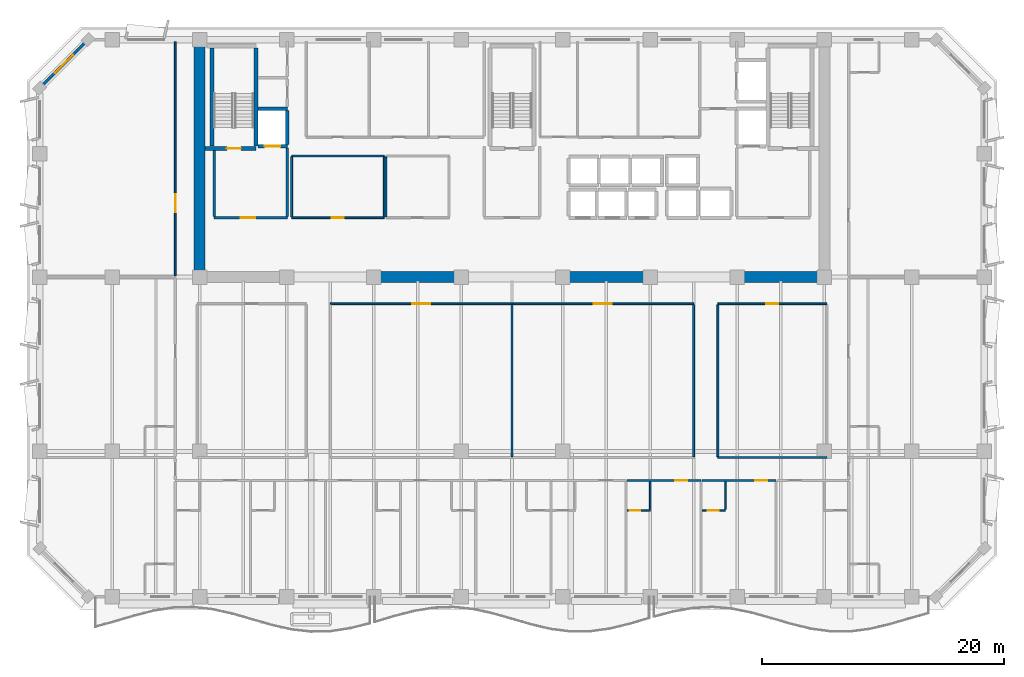
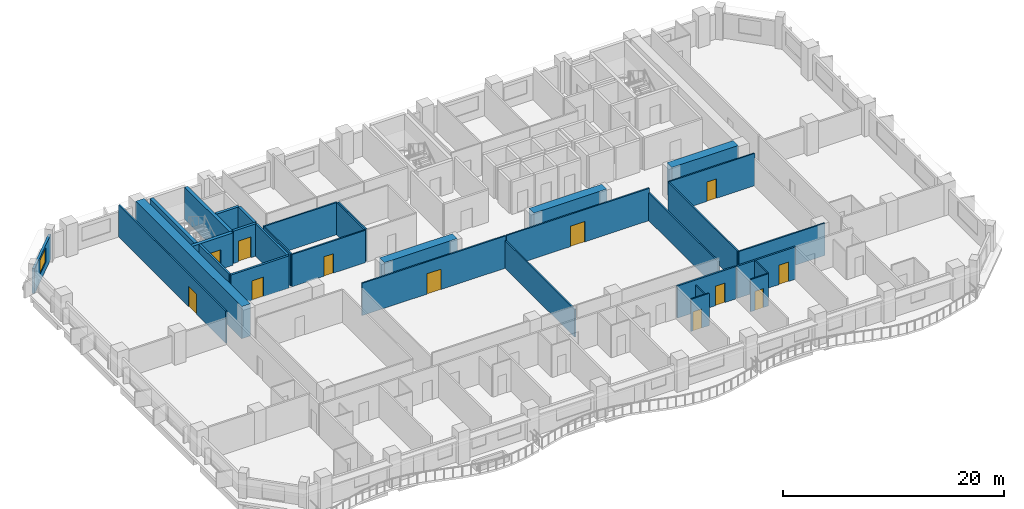
# One storey, part 6 of 15: 33 walls, 12 doors, 1 window, 13 openings.
"""IFC4 building model written with IfcOpenShell, lengths in metres."""

from ifc_helpers import new_model, si_unit, direction, frame, frame_2d, origin, place, context, subcontext, project, spatial, rectangle, extrude, material, layer, layer_set, type_object, element, fill, save


model = new_model("IFC4")

# Units and contexts
model_context = context("Model", 3, precision=1e-05, world=origin(), true_north=direction((0.0, 1.0)))
body_context = subcontext(model_context, "Body", "Model", "MODEL_VIEW")
ifc_project = project(units=[si_unit("LENGTHUNIT", "METRE"), si_unit("AREAUNIT", "SQUARE_METRE"), si_unit("VOLUMEUNIT", "CUBIC_METRE"), si_unit("PLANEANGLEUNIT", "RADIAN"), si_unit("MASSUNIT", "GRAM", prefix="KILO")], contexts=[model_context])

# Site, building, storey
site_placement = place(None, origin())
site = spatial("IfcSite", under=ifc_project, at=site_placement, CompositionType="ELEMENT")
building_placement = place(site_placement, origin())
building = spatial("IfcBuilding", under=site, at=building_placement, Name="Kaelvorn Grand Hotel", CompositionType="ELEMENT")
storey_placement = place(building_placement, frame((0.0, 0.0, 150.550048828125)))
storey = spatial("IfcBuildingStorey", under=building, at=storey_placement, Name="L36", CompositionType="ELEMENT", Elevation=150.550048828125)

# Walls
ifc_material_1 = material(Name="Concrete C60/75", Category="concrete")
ifc_layer_1 = layer(ifc_material_1, 0.89990234375)
ifc_layer_set_1 = layer_set([ifc_layer_1], Name="Concrete C60/75")
wall_type_1 = type_object("IfcWallType", Name="WL-CORE-900-C60", PredefinedType="SHEAR", material=ifc_layer_set_1)
wall_1_placement = place(storey_placement, frame((16.199951171875, 29.39990234375, 0.0), z_axis=(0.0, 0.0, 1.0), x_axis=(0.0, 1.0, 0.0)))
element("IfcWall", 1, at=wall_1_placement, inside=storey, type_object=wall_type_1, Name="L36 Rear-Core West Shear Wall", PredefinedType="SHEAR", context=body_context, shape_type="SweptSolid", body=[
    extrude(rectangle(XDim=19.2001953125, YDim=0.89990234375, at=frame_2d((9.60009765625, 0.0))), origin(), (0.0, 0.0, 1.0), 3.56005859375),
])
for number, where, z_axis, x_axis, name in (
    (2, (30.39990234375, 29.39990234375, 0.0), (0.0, 0.0, 1.0), (1.0, 0.0, 0.0), "L36 Rear-Core Coupled Shear Pier S2"),
    (3, (46.0, 29.39990234375, 0.0), (0.0, 0.0, 1.0), (1.0, 0.0, 0.0), "L36 Rear-Core Coupled Shear Pier S3"),
):
    element("IfcWall", number, at=place(storey_placement, frame(where, z_axis=z_axis, x_axis=x_axis)), inside=storey, type_object=wall_type_1, Name=name, PredefinedType="SHEAR", context=body_context, shape_type="SweptSolid", body=[
        extrude(rectangle(XDim=7.60009765625, YDim=0.89990234375, at=frame_2d((3.800048828125, 0.0))), origin(), (0.0, 0.0, 1.0), 3.56005859375),
    ])
wall_2_placement = place(storey_placement, frame((60.39990234375, 29.39990234375, 0.0), z_axis=(0.0, 0.0, 1.0), x_axis=(1.0, 0.0, 0.0)))
element("IfcWall", 4, at=wall_2_placement, inside=storey, type_object=wall_type_1, Name="L36 Rear-Core Coupled Shear Pier S4", PredefinedType="SHEAR", context=body_context, shape_type="SweptSolid", body=[
    extrude(rectangle(XDim=6.945068359375, YDim=0.89990234375, at=frame_2d((3.47265625, 0.0))), origin(), (0.0, 0.0, 1.0), 3.56005859375),
])

# Wall, opening, window
ifc_material_2 = material(Name="Concrete C40/50", Category="concrete")
ifc_layer_2 = layer(ifc_material_2, 0.239990234375)
ifc_layer_set_2 = layer_set([ifc_layer_2], Name="Concrete C40/50")
wall_type_2 = type_object("IfcWallType", Name="WL-EXT-240-C40", PredefinedType="SOLIDWALL", material=ifc_layer_set_2)
wall_3_placement = place(storey_placement, frame((7.0, 49.0, 0.0), z_axis=(0.0, 0.0, 1.0), x_axis=(-0.707106781187, -0.707106781187, 0.0)))
wall_3 = element("IfcWall", 5, at=wall_3_placement, inside=storey, type_object=wall_type_2, Name="L36 Exterior Architectural Concrete Wall 06", PredefinedType="SOLIDWALL", context=body_context, shape_type="SweptSolid", body=[
    extrude(rectangle(XDim=5.65673828125, YDim=0.239990234375, at=frame_2d((2.828369140625, 0.0))), origin(), (0.0, 0.0, 1.0), 2.760009765625),
])
opening_1_placement = place(wall_3_placement, frame((1.7783203125, 0.0, 0.85009765625)))
opening_1 = element("IfcOpeningElement", 6, at=opening_1_placement, cuts=wall_3, Name="Opening W7", PredefinedType="OPENING", context=body_context, shape_type="SweptSolid", body=[
    extrude(rectangle(XDim=2.10009765625, YDim=1.60009765625, at=frame_2d((1.050048828125, 0.800048828125))), frame((0.0, 0.1298828125, 0.0), z_axis=(0.0, -1.0, 0.0), x_axis=(1.0, 0.0, 0.0)), (0.0, 0.0, 1.0), 0.260009765625),
])
ifc_material_3 = material(Name="Laminated Low-E Glass", Category="glass")
window_type = type_object("IfcWindowType", Name="WIN-CHM-2100x1600", PartitioningType="SINGLE_PANEL", PredefinedType="WINDOW", material=ifc_material_3)
window_placement = place(opening_1_placement, origin())
window = element("IfcWindow", 7, at=window_placement, inside=storey, type_object=window_type, Name="L36 Chamfered 45-Degree Corner Window NW", OverallHeight=1.60009765625, OverallWidth=2.10009765625, PartitioningType="SINGLE_PANEL", PredefinedType="WINDOW", context=body_context, shape_type="SweptSolid", body=[
    extrude(rectangle(XDim=2.10009765625, YDim=1.60009765625, at=frame_2d((1.050048828125, 0.800048828125))), frame((0.0, 0.030029296875, 0.0), z_axis=(0.0, -1.0, 0.0), x_axis=(1.0, 0.0, 0.0)), (0.0, 0.0, 1.0), 0.06005859375),
])
fill(opening_1, window)

# Wall, opening, door
ifc_material_4 = material(Name="Moisture-Resistant Tile & Stud Board")
ifc_layer_3 = layer(ifc_material_4, 0.125)
ifc_layer_set_3 = layer_set([ifc_layer_3], Name="Moisture-Resistant Tile & Stud Board")
wall_type_3 = type_object("IfcWallType", Name="WL-PART-125-WET", PredefinedType="PARTITIONING", material=ifc_layer_set_3)
wall_4_placement = place(storey_placement, frame((51.504150390625, 10.139892578125, 0.0), z_axis=(0.0, 0.0, 1.0), x_axis=(1.0, 0.0, 0.0)))
wall_4 = element("IfcWall", 8, at=wall_4_placement, inside=storey, type_object=wall_type_3, Name="L36 En-suite Bathroom L36-07 S Partition", PredefinedType="PARTITIONING", context=body_context, shape_type="SweptSolid", body=[
    extrude(rectangle(XDim=1.905029296875, YDim=0.125, at=frame_2d((0.95263671875, 0.0))), origin(), (0.0, 0.0, 1.0), 3.56005859375),
])
opening_2_placement = place(wall_4_placement, frame((0.205078125, 0.0, 0.0)))
opening_2 = element("IfcOpeningElement", 9, at=opening_2_placement, cuts=wall_4, Name="Opening DI4", PredefinedType="OPENING", context=body_context, shape_type="SweptSolid", body=[
    extrude(rectangle(XDim=0.89990234375, YDim=2.10009765625, at=frame_2d((0.449951171875, 1.050048828125))), frame((0.0, 0.072509765625, 0.0), z_axis=(0.0, -1.0, 0.0), x_axis=(1.0, 0.0, 0.0)), (0.0, 0.0, 1.0), 0.14501953125),
])
ifc_material_5 = material(Name="Timber Veneer Leaf", Category="wood")
door_type_1 = type_object("IfcDoorType", Name="DR-INT-BATH-900x2100", OperationType="NOTDEFINED", PredefinedType="DOOR", material=ifc_material_5)
door_1_placement = place(opening_2_placement, origin())
door_1 = element("IfcDoor", 10, at=door_1_placement, inside=storey, type_object=door_type_1, Name="L36 En-suite Bathroom L36-07 Door", OperationType="SINGLE_SWING_LEFT", OverallHeight=2.10009765625, OverallWidth=0.89990234375, PredefinedType="DOOR", context=body_context, shape_type="SweptSolid", body=[
    extrude(rectangle(XDim=0.89990234375, YDim=2.10009765625, at=frame_2d((0.449951171875, 1.050048828125))), frame((0.0, 0.02490234375, 0.0), z_axis=(0.0, -1.0, 0.0), x_axis=(1.0, 0.0, 0.0)), (0.0, 0.0, 1.0), 0.050048828125),
])
fill(opening_2, door_1)

# Wall
wall_5_placement = place(storey_placement, frame((53.4091796875, 10.20751953125, 0.0), z_axis=(0.0, 0.0, 1.0), x_axis=(0.0, 1.0, 0.0)))
element("IfcWall", 11, at=wall_5_placement, inside=storey, type_object=wall_type_3, Name="L36 En-suite Bathroom L36-07 E Partition", PredefinedType="PARTITIONING", context=body_context, shape_type="SweptSolid", body=[
    extrude(rectangle(XDim=2.29736328125, YDim=0.125, at=frame_2d((1.148681640625, 0.0))), origin(), (0.0, 0.0, 1.0), 3.010009765625),
])

# Wall, opening, door
wall_6_placement = place(storey_placement, frame((57.705810546875, 10.139892578125, 0.0), z_axis=(0.0, 0.0, 1.0), x_axis=(1.0, 0.0, 0.0)))
wall_6 = element("IfcWall", 12, at=wall_6_placement, inside=storey, type_object=wall_type_3, Name="L36 En-suite Bathroom L36-08 S Partition", PredefinedType="PARTITIONING", context=body_context, shape_type="SweptSolid", body=[
    extrude(rectangle(XDim=1.905029296875, YDim=0.125, at=frame_2d((0.95263671875, 0.0))), origin(), (0.0, 0.0, 1.0), 3.56005859375),
])
opening_3_placement = place(wall_6_placement, frame((0.455078125, 0.0, 0.0)))
opening_3 = element("IfcOpeningElement", 13, at=opening_3_placement, cuts=wall_6, Name="Opening DI4", PredefinedType="OPENING", context=body_context, shape_type="SweptSolid", body=[
    extrude(rectangle(XDim=0.89990234375, YDim=2.10009765625, at=frame_2d((0.449951171875, 1.050048828125))), frame((0.0, 0.072509765625, 0.0), z_axis=(0.0, -1.0, 0.0), x_axis=(1.0, 0.0, 0.0)), (0.0, 0.0, 1.0), 0.14501953125),
])
door_2_placement = place(opening_3_placement, origin())
door_2 = element("IfcDoor", 14, at=door_2_placement, inside=storey, type_object=door_type_1, Name="L36 En-suite Bathroom L36-08 Door", OperationType="SINGLE_SWING_LEFT", OverallHeight=2.10009765625, OverallWidth=0.89990234375, PredefinedType="DOOR", context=body_context, shape_type="SweptSolid", body=[
    extrude(rectangle(XDim=0.89990234375, YDim=2.10009765625, at=frame_2d((0.449951171875, 1.050048828125))), frame((0.0, 0.02490234375, 0.0), z_axis=(0.0, -1.0, 0.0), x_axis=(1.0, 0.0, 0.0)), (0.0, 0.0, 1.0), 0.050048828125),
])
fill(opening_3, door_2)

# Walls
wall_7_placement = place(storey_placement, frame((59.61083984375, 10.20751953125, 0.0), z_axis=(0.0, 0.0, 1.0), x_axis=(0.0, 1.0, 0.0)))
element("IfcWall", 15, at=wall_7_placement, inside=storey, type_object=wall_type_3, Name="L36 En-suite Bathroom L36-08 E Partition", PredefinedType="PARTITIONING", context=body_context, shape_type="SweptSolid", body=[
    extrude(rectangle(XDim=2.29736328125, YDim=0.125, at=frame_2d((1.148681640625, 0.0))), origin(), (0.0, 0.0, 1.0), 3.56005859375),
])
ifc_material_6 = material(Name="Acoustic Gypsum & Stud Partition")
ifc_layer_4 = layer(ifc_material_6, 0.14990234375)
ifc_layer_set_4 = layer_set([ifc_layer_4], Name="Acoustic Gypsum & Stud Partition")
wall_type_4 = type_object("IfcWallType", Name="WL-PART-150-EI60", PredefinedType="PARTITIONING", material=ifc_layer_set_4)
wall_8_placement = place(storey_placement, frame((31.60009765625, 34.3798828125, 0.0), z_axis=(0.0, 0.0, 1.0), x_axis=(0.0, 1.0, 0.0)))
element("IfcWall", 16, at=wall_8_placement, inside=storey, type_object=wall_type_4, Name="L36 Core Telecoms & BMS Server Room W Partition", PredefinedType="PARTITIONING", context=body_context, shape_type="SweptSolid", body=[
    extrude(rectangle(XDim=4.940185546875, YDim=0.14990234375, at=frame_2d((2.47021484375, 0.0))), origin(), (0.0, 0.0, 1.0), 3.56005859375),
])

# Wall, opening, door
wall_9_placement = place(storey_placement, frame((23.800048828125, 34.300048828125, 0.0), z_axis=(0.0, 0.0, 1.0), x_axis=(1.0, 0.0, 0.0)))
wall_9 = element("IfcWall", 17, at=wall_9_placement, inside=storey, type_object=wall_type_4, Name="L36 Executive Club Sitting Lounge S Partition", PredefinedType="PARTITIONING", context=body_context, shape_type="SweptSolid", body=[
    extrude(rectangle(XDim=7.64990234375, YDim=0.14990234375, at=frame_2d((3.824951171875, 0.0))), origin(), (0.0, 0.0, 1.0), 3.56005859375),
])
opening_4_placement = place(wall_9_placement, frame((3.300048828125, 0.0, 0.0)))
opening_4 = element("IfcOpeningElement", 18, at=opening_4_placement, cuts=wall_9, Name="Opening DI3", PredefinedType="OPENING", context=body_context, shape_type="SweptSolid", body=[
    extrude(rectangle(XDim=1.0, YDim=2.14990234375, at=frame_2d((0.5, 1.074951171875))), frame((0.0, 0.0849609375, 0.0), z_axis=(0.0, -1.0, 0.0), x_axis=(1.0, 0.0, 0.0)), (0.0, 0.0, 1.0), 0.169921875),
])
ifc_material_7 = material(Name="Timber Veneer Fire Leaf", Category="wood")
door_type_2 = type_object("IfcDoorType", Name="DR-INT-GUEST-1000x2150", OperationType="NOTDEFINED", PredefinedType="DOOR", material=ifc_material_7)
door_3_placement = place(opening_4_placement, origin())
door_3 = element("IfcDoor", 19, at=door_3_placement, inside=storey, type_object=door_type_2, Name="L36 Executive Club Sitting Lounge Door", OperationType="SINGLE_SWING_LEFT", OverallHeight=2.14990234375, OverallWidth=1.0, PredefinedType="DOOR", context=body_context, shape_type="SweptSolid", body=[
    extrude(rectangle(XDim=1.0, YDim=2.14990234375, at=frame_2d((0.5, 1.074951171875))), frame((0.0, 0.02490234375, 0.0), z_axis=(0.0, -1.0, 0.0), x_axis=(1.0, 0.0, 0.0)), (0.0, 0.0, 1.0), 0.050048828125),
])
fill(opening_4, door_3)

# Walls
wall_10_placement = place(storey_placement, frame((23.800048828125, 39.39990234375, 0.0), z_axis=(0.0, 0.0, 1.0), x_axis=(1.0, 0.0, 0.0)))
element("IfcWall", 20, at=wall_10_placement, inside=storey, type_object=wall_type_4, Name="L36 Executive Club Sitting Lounge N Partition", PredefinedType="PARTITIONING", context=body_context, shape_type="SweptSolid", body=[
    extrude(rectangle(XDim=7.64990234375, YDim=0.14990234375, at=frame_2d((3.824951171875, 0.0))), origin(), (0.0, 0.0, 1.0), 3.56005859375),
])
for number, where, z_axis, x_axis, name in (
    (21, (23.800048828125, 34.3798828125, 0.0), (0.0, 0.0, 1.0), (0.0, 1.0, 0.0), "L36 Executive Club Sitting Lounge W Partition"),
    (22, (31.449951171875, 34.3798828125, 0.0), (0.0, 0.0, 1.0), (0.0, 1.0, 0.0), "L36 Executive Club Sitting Lounge E Partition"),
):
    element("IfcWall", number, at=place(storey_placement, frame(where, z_axis=z_axis, x_axis=x_axis)), inside=storey, type_object=wall_type_4, Name=name, PredefinedType="PARTITIONING", context=body_context, shape_type="SweptSolid", body=[
        extrude(rectangle(XDim=4.940185546875, YDim=0.14990234375, at=frame_2d((2.47021484375, 0.0))), origin(), (0.0, 0.0, 1.0), 3.56005859375),
    ])

# Wall, opening, door
wall_11_placement = place(storey_placement, frame((27.0, 27.199951171875, 0.0), z_axis=(0.0, 0.0, 1.0), x_axis=(1.0, 0.0, 0.0)))
wall_11 = element("IfcWall", 23, at=wall_11_placement, inside=storey, type_object=wall_type_4, Name="L36 Chef Finishing Kitchen N Partition", PredefinedType="PARTITIONING", context=body_context, shape_type="SweptSolid", body=[
    extrude(rectangle(XDim=15.0, YDim=0.14990234375, at=frame_2d((7.5, 0.0))), origin(), (0.0, 0.0, 1.0), 3.56005859375),
])
opening_5_placement = place(wall_11_placement, frame((6.75, 0.0, 0.0)))
opening_5 = element("IfcOpeningElement", 24, at=opening_5_placement, cuts=wall_11, Name="Opening DI5", PredefinedType="OPENING", context=body_context, shape_type="SweptSolid", body=[
    extrude(rectangle(XDim=1.5, YDim=2.25, at=frame_2d((0.75, 1.125))), frame((0.0, 0.0849609375, 0.0), z_axis=(0.0, -1.0, 0.0), x_axis=(1.0, 0.0, 0.0)), (0.0, 0.0, 1.0), 0.169921875),
])
door_type_3 = type_object("IfcDoorType", Name="DR-INT-SALON-1500x2250", OperationType="DOUBLE_DOOR_SINGLE_SWING", PredefinedType="DOOR", material=ifc_material_7)
door_4_placement = place(opening_5_placement, origin())
door_4 = element("IfcDoor", 25, at=door_4_placement, inside=storey, type_object=door_type_3, Name="L36 Chef Finishing Kitchen Door", OperationType="DOUBLE_DOOR_SINGLE_SWING", OverallHeight=2.25, OverallWidth=1.5, PredefinedType="DOOR", context=body_context, shape_type="SweptSolid", body=[
    extrude(rectangle(XDim=1.5, YDim=2.25, at=frame_2d((0.75, 1.125))), frame((0.0, 0.02490234375, 0.0), z_axis=(0.0, -1.0, 0.0), x_axis=(1.0, 0.0, 0.0)), (0.0, 0.0, 1.0), 0.050048828125),
])
fill(opening_5, door_4)

# Wall
wall_12_placement = place(storey_placement, frame((42.0, 14.580078125, 0.0), z_axis=(0.0, 0.0, 1.0), x_axis=(0.0, 1.0, 0.0)))
element("IfcWall", 26, at=wall_12_placement, inside=storey, type_object=wall_type_4, Name="L36 Chef Finishing Kitchen E Partition", PredefinedType="PARTITIONING", context=body_context, shape_type="SweptSolid", body=[
    extrude(rectangle(XDim=12.5400390625, YDim=0.14990234375, at=frame_2d((6.27001953125, 0.0))), origin(), (0.0, 0.0, 1.0), 3.06005859375),
])

# Wall, opening, door
wall_13_placement = place(storey_placement, frame((42.080078125, 27.199951171875, 0.0), z_axis=(0.0, 0.0, 1.0), x_axis=(1.0, 0.0, 0.0)))
wall_13 = element("IfcWall", 27, at=wall_13_placement, inside=storey, type_object=wall_type_4, Name="L36 Conference Seminar Room N Partition", PredefinedType="PARTITIONING", context=body_context, shape_type="SweptSolid", body=[
    extrude(rectangle(XDim=14.919921875, YDim=0.14990234375, at=frame_2d((7.4599609375, 0.0))), origin(), (0.0, 0.0, 1.0), 3.56005859375),
])
opening_6_placement = place(wall_13_placement, frame((6.669921875, 0.0, 0.0)))
opening_6 = element("IfcOpeningElement", 28, at=opening_6_placement, cuts=wall_13, Name="Opening DI5", PredefinedType="OPENING", context=body_context, shape_type="SweptSolid", body=[
    extrude(rectangle(XDim=1.5, YDim=2.25, at=frame_2d((0.75, 1.125))), frame((0.0, 0.0849609375, 0.0), z_axis=(0.0, -1.0, 0.0), x_axis=(1.0, 0.0, 0.0)), (0.0, 0.0, 1.0), 0.169921875),
])
door_5_placement = place(opening_6_placement, origin())
door_5 = element("IfcDoor", 29, at=door_5_placement, inside=storey, type_object=door_type_3, Name="L36 Conference Seminar Room Door", OperationType="DOUBLE_DOOR_SINGLE_SWING", OverallHeight=2.25, OverallWidth=1.5, PredefinedType="DOOR", context=body_context, shape_type="SweptSolid", body=[
    extrude(rectangle(XDim=1.5, YDim=2.25, at=frame_2d((0.75, 1.125))), frame((0.0, 0.02490234375, 0.0), z_axis=(0.0, -1.0, 0.0), x_axis=(1.0, 0.0, 0.0)), (0.0, 0.0, 1.0), 0.050048828125),
])
fill(opening_6, door_5)

# Walls
wall_14_placement = place(storey_placement, frame((57.0, 14.580078125, 0.0), z_axis=(0.0, 0.0, 1.0), x_axis=(0.0, 1.0, 0.0)))
element("IfcWall", 30, at=wall_14_placement, inside=storey, type_object=wall_type_4, Name="L36 Conference Seminar Room E Partition", PredefinedType="PARTITIONING", context=body_context, shape_type="SweptSolid", body=[
    extrude(rectangle(XDim=12.5400390625, YDim=0.14990234375, at=frame_2d((6.27001953125, 0.0))), origin(), (0.0, 0.0, 1.0), 3.06005859375),
])
wall_15_placement = place(storey_placement, frame((59.0, 14.5, 0.0), z_axis=(0.0, 0.0, 1.0), x_axis=(1.0, 0.0, 0.0)))
element("IfcWall", 31, at=wall_15_placement, inside=storey, type_object=wall_type_4, Name="L36 Concierge Admin Office S Partition", PredefinedType="PARTITIONING", context=body_context, shape_type="SweptSolid", body=[
    extrude(rectangle(XDim=9.0, YDim=0.14990234375, at=frame_2d((4.5, 0.0))), origin(), (0.0, 0.0, 1.0), 3.56005859375),
])

# Wall, opening, door
wall_16_placement = place(storey_placement, frame((59.0, 27.199951171875, 0.0), z_axis=(0.0, 0.0, 1.0), x_axis=(1.0, 0.0, 0.0)))
wall_16 = element("IfcWall", 32, at=wall_16_placement, inside=storey, type_object=wall_type_4, Name="L36 Concierge Admin Office N Partition", PredefinedType="PARTITIONING", context=body_context, shape_type="SweptSolid", body=[
    extrude(rectangle(XDim=9.0, YDim=0.14990234375, at=frame_2d((4.5, 0.0))), origin(), (0.0, 0.0, 1.0), 3.56005859375),
])
opening_7_placement = place(wall_16_placement, frame((4.0, 0.0, 0.0)))
opening_7 = element("IfcOpeningElement", 33, at=opening_7_placement, cuts=wall_16, Name="Opening DI3", PredefinedType="OPENING", context=body_context, shape_type="SweptSolid", body=[
    extrude(rectangle(XDim=1.0, YDim=2.14990234375, at=frame_2d((0.5, 1.074951171875))), frame((0.0, 0.0849609375, 0.0), z_axis=(0.0, -1.0, 0.0), x_axis=(1.0, 0.0, 0.0)), (0.0, 0.0, 1.0), 0.169921875),
])
door_6_placement = place(opening_7_placement, origin())
door_6 = element("IfcDoor", 34, at=door_6_placement, inside=storey, type_object=door_type_2, Name="L36 Concierge Admin Office Door", OperationType="SINGLE_SWING_LEFT", OverallHeight=2.14990234375, OverallWidth=1.0, PredefinedType="DOOR", context=body_context, shape_type="SweptSolid", body=[
    extrude(rectangle(XDim=1.0, YDim=2.14990234375, at=frame_2d((0.5, 1.074951171875))), frame((0.0, 0.02490234375, 0.0), z_axis=(0.0, -1.0, 0.0), x_axis=(1.0, 0.0, 0.0)), (0.0, 0.0, 1.0), 0.050048828125),
])
fill(opening_7, door_6)

# Wall
wall_17_placement = place(storey_placement, frame((59.0, 14.580078125, 0.0), z_axis=(0.0, 0.0, 1.0), x_axis=(0.0, 1.0, 0.0)))
element("IfcWall", 35, at=wall_17_placement, inside=storey, type_object=wall_type_4, Name="L36 Concierge Admin Office W Partition", PredefinedType="PARTITIONING", context=body_context, shape_type="SweptSolid", body=[
    extrude(rectangle(XDim=12.5400390625, YDim=0.14990234375, at=frame_2d((6.27001953125, 0.0))), origin(), (0.0, 0.0, 1.0), 3.56005859375),
])

# Wall, opening, door
wall_18_placement = place(storey_placement, frame((14.199951171875, 29.4951171875, 0.0), z_axis=(0.0, 0.0, 1.0), x_axis=(0.0, 1.0, 0.0)))
wall_18 = element("IfcWall", 36, at=wall_18_placement, inside=storey, type_object=wall_type_4, Name="L36 North-West Conference Seminar Room E Partition", PredefinedType="PARTITIONING", context=body_context, shape_type="SweptSolid", body=[
    extrude(rectangle(XDim=19.35498046875, YDim=0.14990234375, at=frame_2d((9.677490234375, 0.0))), origin(), (0.0, 0.0, 1.0), 3.56005859375),
])
opening_8_placement = place(wall_18_placement, frame((5.2548828125, 0.0, 0.0)))
opening_8 = element("IfcOpeningElement", 37, at=opening_8_placement, cuts=wall_18, Name="Opening DI5", PredefinedType="OPENING", context=body_context, shape_type="SweptSolid", body=[
    extrude(rectangle(XDim=1.5, YDim=2.25, at=frame_2d((0.75, 1.125))), frame((0.0, 0.0849609375, 0.0), z_axis=(0.0, -1.0, 0.0), x_axis=(1.0, 0.0, 0.0)), (0.0, 0.0, 1.0), 0.169921875),
])
door_7_placement = place(opening_8_placement, origin())
door_7 = element("IfcDoor", 38, at=door_7_placement, inside=storey, type_object=door_type_3, Name="L36 North-West Conference Seminar Room Door", OperationType="DOUBLE_DOOR_SINGLE_SWING", OverallHeight=2.25, OverallWidth=1.5, PredefinedType="DOOR", context=body_context, shape_type="SweptSolid", body=[
    extrude(rectangle(XDim=1.5, YDim=2.25, at=frame_2d((0.75, 1.125))), frame((0.0, 0.02490234375, 0.0), z_axis=(0.0, -1.0, 0.0), x_axis=(1.0, 0.0, 0.0)), (0.0, 0.0, 1.0), 0.050048828125),
])
fill(opening_8, door_7)

ifc_layer_5 = layer(ifc_material_6, 0.179931640625)
ifc_layer_set_5 = layer_set([ifc_layer_5], Name="Acoustic Gypsum & Stud Partition")
wall_type_5 = type_object("IfcWallType", Name="WL-PART-180-EI60", PredefinedType="PARTITIONING", material=ifc_layer_set_5)
wall_19_placement = place(storey_placement, frame((51.504150390625, 12.60009765625, 0.0), z_axis=(0.0, 0.0, 1.0), x_axis=(1.0, 0.0, 0.0)))
wall_19 = element("IfcWall", 39, at=wall_19_placement, inside=storey, type_object=wall_type_5, Name="L36 Superior King Guest Room L36-07 N Partition", PredefinedType="PARTITIONING", context=body_context, shape_type="SweptSolid", body=[
    extrude(rectangle(XDim=6.106689453125, YDim=0.179931640625, at=frame_2d((3.05322265625, 0.0))), origin(), (0.0, 0.0, 1.0), 3.56005859375),
])
opening_9_placement = place(wall_19_placement, frame((3.955810546875, 0.0, 0.0)))
opening_9 = element("IfcOpeningElement", 40, at=opening_9_placement, cuts=wall_19, Name="Opening DI3", PredefinedType="OPENING", context=body_context, shape_type="SweptSolid", body=[
    extrude(rectangle(XDim=1.0, YDim=2.14990234375, at=frame_2d((0.5, 1.074951171875))), frame((0.0, 0.10009765625, 0.0), z_axis=(0.0, -1.0, 0.0), x_axis=(1.0, 0.0, 0.0)), (0.0, 0.0, 1.0), 0.199951171875),
])
door_8_placement = place(opening_9_placement, origin())
door_8 = element("IfcDoor", 41, at=door_8_placement, inside=storey, type_object=door_type_2, Name="L36 Superior King Guest Room L36-07 Door", OperationType="SINGLE_SWING_RIGHT", OverallHeight=2.14990234375, OverallWidth=1.0, PredefinedType="DOOR", context=body_context, shape_type="SweptSolid", body=[
    extrude(rectangle(XDim=1.0, YDim=2.14990234375, at=frame_2d((0.5, 1.074951171875))), frame((0.0, 0.02490234375, 0.0), z_axis=(0.0, -1.0, 0.0), x_axis=(1.0, 0.0, 0.0)), (0.0, 0.0, 1.0), 0.050048828125),
])
fill(opening_9, door_8)

wall_20_placement = place(storey_placement, frame((57.705810546875, 12.60009765625, 0.0), z_axis=(0.0, 0.0, 1.0), x_axis=(1.0, 0.0, 0.0)))
wall_20 = element("IfcWall", 42, at=wall_20_placement, inside=storey, type_object=wall_type_5, Name="L36 Superior King Guest Room L36-08 N Partition", PredefinedType="PARTITIONING", context=body_context, shape_type="SweptSolid", body=[
    extrude(rectangle(XDim=6.1064453125, YDim=0.179931640625, at=frame_2d((3.05322265625, 0.0))), origin(), (0.0, 0.0, 1.0), 3.56005859375),
])
opening_10_placement = place(wall_20_placement, frame((4.390380859375, 0.0, 0.0)))
opening_10 = element("IfcOpeningElement", 43, at=opening_10_placement, cuts=wall_20, Name="Opening DI3", PredefinedType="OPENING", context=body_context, shape_type="SweptSolid", body=[
    extrude(rectangle(XDim=1.0, YDim=2.14990234375, at=frame_2d((0.5, 1.074951171875))), frame((0.0, 0.10009765625, 0.0), z_axis=(0.0, -1.0, 0.0), x_axis=(1.0, 0.0, 0.0)), (0.0, 0.0, 1.0), 0.199951171875),
])
door_9_placement = place(opening_10_placement, origin())
door_9 = element("IfcDoor", 44, at=door_9_placement, inside=storey, type_object=door_type_2, Name="L36 Superior King Guest Room L36-08 Door", OperationType="SINGLE_SWING_RIGHT", OverallHeight=2.14990234375, OverallWidth=1.0, PredefinedType="DOOR", context=body_context, shape_type="SweptSolid", body=[
    extrude(rectangle(XDim=1.0, YDim=2.14990234375, at=frame_2d((0.5, 1.074951171875))), frame((0.0, 0.02490234375, 0.0), z_axis=(0.0, -1.0, 0.0), x_axis=(1.0, 0.0, 0.0)), (0.0, 0.0, 1.0), 0.050048828125),
])
fill(opening_10, door_9)

ifc_layer_6 = layer(ifc_material_2, 0.219970703125)
ifc_layer_set_6 = layer_set([ifc_layer_6], Name="Concrete C40/50")
wall_type_6 = type_object("IfcWallType", Name="WL-PART-220-EI120", PredefinedType="PARTITIONING", material=ifc_layer_set_6)
wall_21_placement = place(storey_placement, frame((17.39990234375, 34.300048828125, 0.0), z_axis=(0.0, 0.0, 1.0), x_axis=(1.0, 0.0, 0.0)))
wall_21 = element("IfcWall", 45, at=wall_21_placement, inside=storey, type_object=wall_type_6, Name="L36 Firefighting Lift Lobby 1 S Partition", PredefinedType="PARTITIONING", context=body_context, shape_type="SweptSolid", body=[
    extrude(rectangle(XDim=6.050048828125, YDim=0.219970703125, at=frame_2d((3.02490234375, 0.0))), origin(), (0.0, 0.0, 1.0), 3.56005859375),
])
opening_11_placement = place(wall_21_placement, frame((2.199951171875, 0.0, 0.0)))
opening_11 = element("IfcOpeningElement", 46, at=opening_11_placement, cuts=wall_21, Name="Opening DI2", PredefinedType="OPENING", context=body_context, shape_type="SweptSolid", body=[
    extrude(rectangle(XDim=1.199951171875, YDim=2.14990234375, at=frame_2d((0.60009765625, 1.074951171875))), frame((0.0, 0.1201171875, 0.0), z_axis=(0.0, -1.0, 0.0), x_axis=(1.0, 0.0, 0.0)), (0.0, 0.0, 1.0), 0.239990234375),
])
door_type_4 = type_object("IfcDoorType", Name="DR-INT-FFLOB-1200x2150", OperationType="NOTDEFINED", PredefinedType="DOOR", material=ifc_material_7)
door_10_placement = place(opening_11_placement, origin())
door_10 = element("IfcDoor", 47, at=door_10_placement, inside=storey, type_object=door_type_4, Name="L36 Firefighting Lift Lobby 1 Door", OperationType="SINGLE_SWING_RIGHT", OverallHeight=2.14990234375, OverallWidth=1.199951171875, PredefinedType="DOOR", context=body_context, shape_type="SweptSolid", body=[
    extrude(rectangle(XDim=1.199951171875, YDim=2.14990234375, at=frame_2d((0.60009765625, 1.074951171875))), frame((0.0, 0.02490234375, 0.0), z_axis=(0.0, -1.0, 0.0), x_axis=(1.0, 0.0, 0.0)), (0.0, 0.0, 1.0), 0.050048828125),
])
fill(opening_11, door_10)

# Walls
wall_22_placement = place(storey_placement, frame((17.39990234375, 34.4150390625, 0.0), z_axis=(0.0, 0.0, 1.0), x_axis=(0.0, 1.0, 0.0)))
element("IfcWall", 48, at=wall_22_placement, inside=storey, type_object=wall_type_6, Name="L36 Firefighting Lift Lobby 1 W Partition", PredefinedType="PARTITIONING", context=body_context, shape_type="SweptSolid", body=[
    extrude(rectangle(XDim=5.429931640625, YDim=0.219970703125, at=frame_2d((2.71484375, 0.0))), origin(), (0.0, 0.0, 1.0), 3.56005859375),
])
wall_23_placement = place(storey_placement, frame((23.449951171875, 34.4150390625, 0.0), z_axis=(0.0, 0.0, 1.0), x_axis=(0.0, 1.0, 0.0)))
element("IfcWall", 49, at=wall_23_placement, inside=storey, type_object=wall_type_6, Name="L36 Firefighting Lift Lobby 1 E Partition", PredefinedType="PARTITIONING", context=body_context, shape_type="SweptSolid", body=[
    extrude(rectangle(XDim=5.639892578125, YDim=0.219970703125, at=frame_2d((2.81982421875, 0.0))), origin(), (0.0, 0.0, 1.0), 3.56005859375),
])

# Wall, opening, door
ifc_material_8 = material(Name="Concrete C50/60", Category="concrete")
ifc_layer_7 = layer(ifc_material_8, 0.280029296875)
ifc_layer_set_7 = layer_set([ifc_layer_7], Name="Concrete C50/60")
wall_type_7 = type_object("IfcWallType", Name="WL-SHAFT-280-C50", PredefinedType="SHEAR", material=ifc_layer_set_7)
wall_24_placement = place(storey_placement, frame((21.034912109375, 40.199951171875, 0.0), z_axis=(0.0, 0.0, 1.0), x_axis=(1.0, 0.0, 0.0)))
wall_24 = element("IfcWall", 50, at=wall_24_placement, inside=storey, type_object=wall_type_7, Name="L36 Lift FFL1 Shaft South Wall", PredefinedType="SHEAR", context=body_context, shape_type="SweptSolid", body=[
    extrude(rectangle(XDim=2.4150390625, YDim=0.280029296875, at=frame_2d((1.20751953125, 0.0))), origin(), (0.0, 0.0, 1.0), 3.56005859375),
])
opening_12_placement = place(wall_24_placement, frame((0.5400390625, 0.0, 0.0)))
opening_12 = element("IfcOpeningElement", 51, at=opening_12_placement, cuts=wall_24, Name="Opening LD-FFL1", PredefinedType="OPENING", context=body_context, shape_type="SweptSolid", body=[
    extrude(rectangle(XDim=1.300048828125, YDim=2.300048828125, at=frame_2d((0.64990234375, 1.14990234375))), frame((0.0, 0.14990234375, 0.0), z_axis=(0.0, -1.0, 0.0), x_axis=(1.0, 0.0, 0.0)), (0.0, 0.0, 1.0), 0.300048828125),
])
ifc_material_9 = material(Name="Stainless Steel", Category="steel")
door_type_5 = type_object("IfcDoorType", Name="DR-LIFT-SERV-1300x2300", OperationType="DOUBLE_DOOR_SLIDING", PredefinedType="DOOR", material=ifc_material_9)
door_11_placement = place(opening_12_placement, origin())
door_11 = element("IfcDoor", 52, at=door_11_placement, inside=storey, type_object=door_type_5, Name="L36 Lift FFL1 Sliding Landing Door LD-FFL1", OperationType="DOUBLE_DOOR_SLIDING", OverallHeight=2.300048828125, OverallWidth=1.300048828125, PredefinedType="DOOR", context=body_context, shape_type="SweptSolid", body=[
    extrude(rectangle(XDim=1.300048828125, YDim=2.300048828125, at=frame_2d((0.64990234375, 1.14990234375))), frame((0.0, 0.02490234375, 0.0), z_axis=(0.0, -1.0, 0.0), x_axis=(1.0, 0.0, 0.0)), (0.0, 0.0, 1.0), 0.050048828125),
])
fill(opening_12, door_11)

# Walls
wall_25_placement = place(storey_placement, frame((21.034912109375, 43.300048828125, 0.0), z_axis=(0.0, 0.0, 1.0), x_axis=(1.0, 0.0, 0.0)))
element("IfcWall", 53, at=wall_25_placement, inside=storey, type_object=wall_type_7, Name="L36 Lift FFL1 Shaft North Wall", PredefinedType="SHEAR", context=body_context, shape_type="SweptSolid", body=[
    extrude(rectangle(XDim=2.4150390625, YDim=0.280029296875, at=frame_2d((1.20751953125, 0.0))), origin(), (0.0, 0.0, 1.0), 3.56005859375),
])
wall_26_placement = place(storey_placement, frame((23.449951171875, 40.344970703125, 0.0), z_axis=(0.0, 0.0, 1.0), x_axis=(0.0, 1.0, 0.0)))
element("IfcWall", 54, at=wall_26_placement, inside=storey, type_object=wall_type_7, Name="L36 Lift FFL1 Shaft East Wall", PredefinedType="SHEAR", context=body_context, shape_type="SweptSolid", body=[
    extrude(rectangle(XDim=2.81005859375, YDim=0.280029296875, at=frame_2d((1.405029296875, 0.0))), origin(), (0.0, 0.0, 1.0), 3.56005859375),
])

# Wall, opening, door
ifc_layer_8 = layer(ifc_material_1, 0.35009765625)
ifc_layer_set_8 = layer_set([ifc_layer_8], Name="Concrete C60/75")
wall_type_8 = type_object("IfcWallType", Name="WL-SHAFT-350-C60", PredefinedType="SHEAR", material=ifc_layer_set_8)
wall_27_placement = place(storey_placement, frame((16.655029296875, 40.02490234375, 0.0), z_axis=(0.0, 0.0, 1.0), x_axis=(1.0, 0.0, 0.0)))
wall_27 = element("IfcWall", 55, at=wall_27_placement, inside=storey, type_object=wall_type_8, Name="L36 ST1 Stair Shaft South Wall", PredefinedType="SHEAR", context=body_context, shape_type="SweptSolid", body=[
    extrude(rectangle(XDim=4.199951171875, YDim=0.35009765625, at=frame_2d((2.10009765625, 0.0))), origin(), (0.0, 0.0, 1.0), 3.56005859375),
])
opening_13_placement = place(wall_27_placement, frame((1.81005859375, 0.0, 0.0)))
opening_13 = element("IfcOpeningElement", 56, at=opening_13_placement, cuts=wall_27, Name="Opening DI1", PredefinedType="OPENING", context=body_context, shape_type="SweptSolid", body=[
    extrude(rectangle(XDim=1.14990234375, YDim=2.14990234375, at=frame_2d((0.574951171875, 1.074951171875))), frame((0.0, 0.18505859375, 0.0), z_axis=(0.0, -1.0, 0.0), x_axis=(1.0, 0.0, 0.0)), (0.0, 0.0, 1.0), 0.3701171875),
])
door_type_6 = type_object("IfcDoorType", Name="DR-INT-STAIR-1150x2150", OperationType="NOTDEFINED", PredefinedType="DOOR", material=ifc_material_7)
door_12_placement = place(opening_13_placement, origin())
door_12 = element("IfcDoor", 57, at=door_12_placement, inside=storey, type_object=door_type_6, Name="L36 ST1 Exit Stair Fire Door", OperationType="SINGLE_SWING_LEFT", OverallHeight=2.14990234375, OverallWidth=1.14990234375, PredefinedType="DOOR", context=body_context, shape_type="SweptSolid", body=[
    extrude(rectangle(XDim=1.14990234375, YDim=2.14990234375, at=frame_2d((0.574951171875, 1.074951171875))), frame((0.0, 0.02490234375, 0.0), z_axis=(0.0, -1.0, 0.0), x_axis=(1.0, 0.0, 0.0)), (0.0, 0.0, 1.0), 0.050048828125),
])
fill(opening_13, door_12)

# Walls
for number, where, z_axis, x_axis, name in (
    (58, (17.22509765625, 40.205078125, 0.0), (0.0, 0.0, 1.0), (0.0, 1.0, 0.0), "L36 ST1 Stair Shaft West Wall"),
    (59, (20.85498046875, 40.205078125, 0.0), (0.0, 0.0, 1.0), (0.0, 1.0, 0.0), "L36 ST1 Stair Shaft East Wall"),
):
    element("IfcWall", number, at=place(storey_placement, frame(where, z_axis=z_axis, x_axis=x_axis)), inside=storey, type_object=wall_type_8, Name=name, PredefinedType="SHEAR", context=body_context, shape_type="SweptSolid", body=[
        extrude(rectangle(XDim=8.08984375, YDim=0.35009765625, at=frame_2d((4.044921875, 0.0))), origin(), (0.0, 0.0, 1.0), 3.56005859375),
    ])

save(model, "model.ifc")
